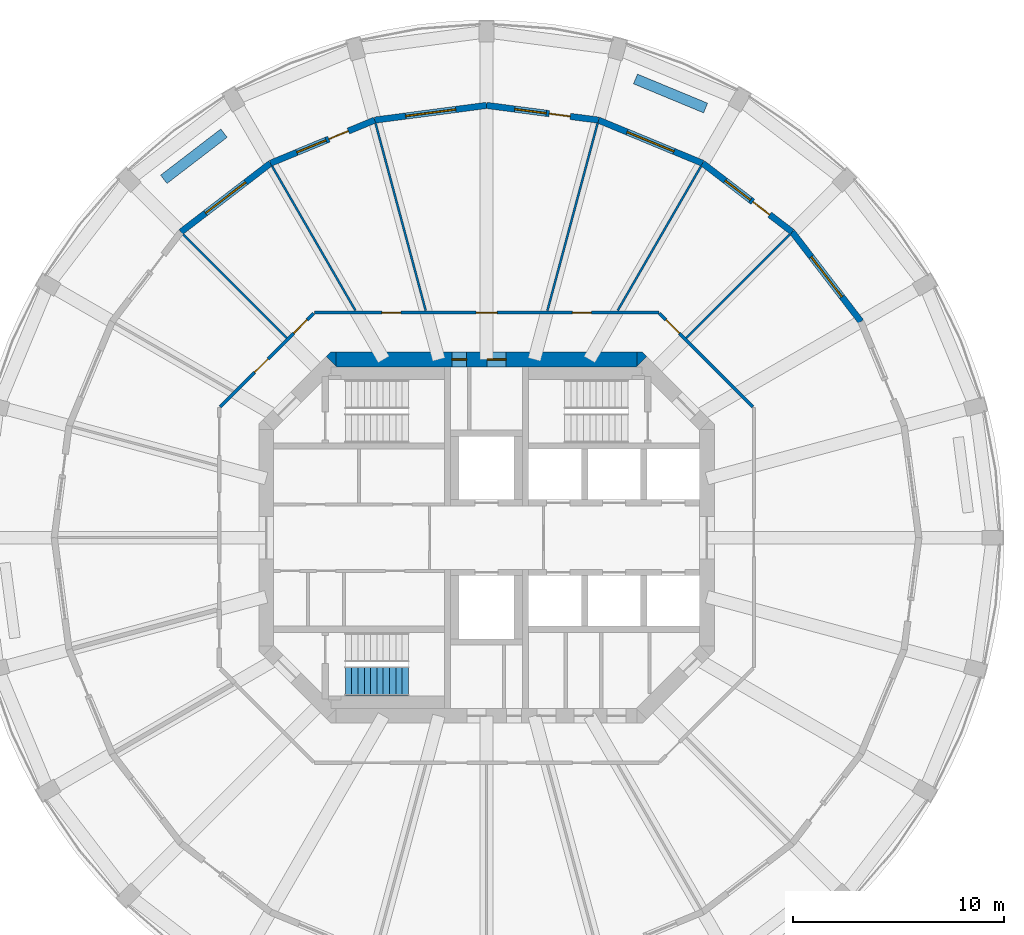
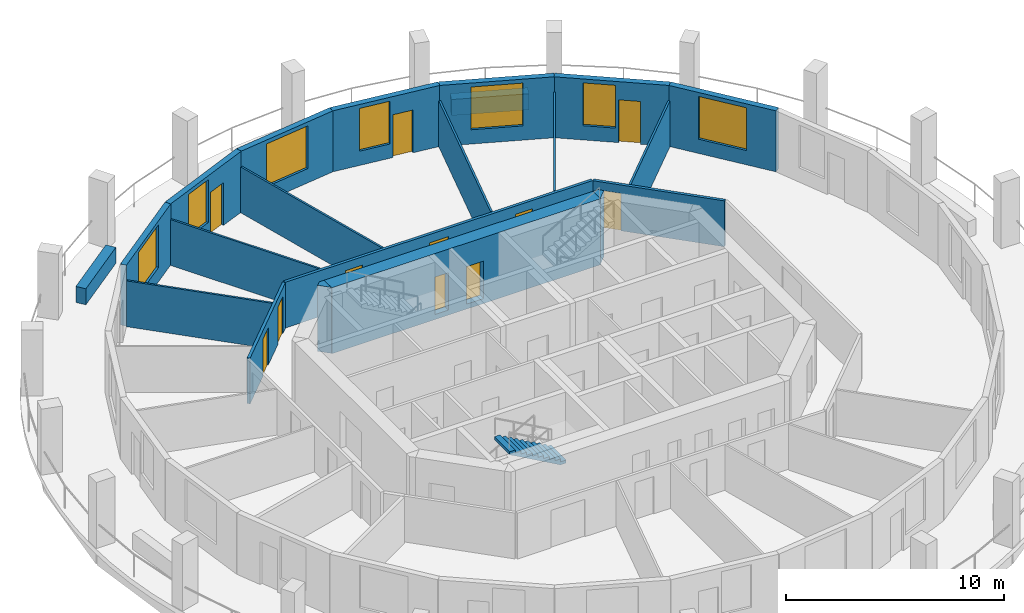
# One storey, part 6 of 9: 21 walls, 11 doors, 7 windows, 1 stair flight, 18 openings, 1 element without a shape of its own.
"""IFC4 building model written with IfcOpenShell, lengths in metres."""

import ifcopenshell
import ifcopenshell.guid

model = None  # the IFC model being written
_history = None  # IfcOwnerHistory: only IFC2X3 demands one
_inside = {}  # id of a spatial element -> (the spatial element, [elements in it])
_under = {}  # id of a project, library or spatial element -> (it, [spatial elements below it])
_declared = {}  # id of a project -> (the project, [libraries it declares])
_typed = {}  # id of a type object -> (the type object, [elements of that type])
_made_of = {}  # id of a material, layer set ... -> (it, [elements and type objects made of it])


def new_model(schema):
    """Start an empty IFC model of exactly this schema.

    Asked for "IFC4X3", IfcOpenShell would pick the latest addendum, in which some entities
    have other attributes; the version numbers below select the first issue.
    IFC2X3 requires an IfcOwnerHistory on every rooted entity: one is made here for all.
    """
    global model, _history
    if schema == "IFC4X3":
        model = ifcopenshell.file(schema_version=(4, 3, 0, 0))
    else:
        model = ifcopenshell.file(schema=schema)
    _inside.clear()
    _under.clear()
    _declared.clear()
    _typed.clear()
    _made_of.clear()
    _history = None
    if model.schema == "IFC2X3":
        org = make("IfcOrganization", Name="unknown")
        user = make(
            "IfcPersonAndOrganization",
            ThePerson=make("IfcPerson", FamilyName="unknown"),
            TheOrganization=org,
        )
        app = make(
            "IfcApplication",
            ApplicationDeveloper=org,
            Version="unknown",
            ApplicationFullName="unknown",
            ApplicationIdentifier="unknown",
        )
        _history = make(
            "IfcOwnerHistory",
            OwningUser=user,
            OwningApplication=app,
            ChangeAction="ADDED",
            CreationDate=0,
        )
    return model


def make(cls, **values):
    """One entity of the class cls with the attributes given. An attribute that is None is left unset."""
    return model.create_entity(
        cls, **{name: value for name, value in values.items() if value is not None}
    )


def rooted(cls, **values):
    """An entity with a GlobalId (a new one), such as an element, a storey or a relation."""
    return make(cls, GlobalId=ifcopenshell.guid.new(), OwnerHistory=_history, **values)


def si_unit(unit_type, name, prefix=None):
    """IfcSIUnit, for example si_unit("LENGTHUNIT", "METRE", prefix="MILLI")."""
    return make("IfcSIUnit", UnitType=unit_type, Prefix=prefix, Name=name)


def assignment(units):
    """IfcUnitAssignment: the units of a project."""
    return None if units is None else make("IfcUnitAssignment", Units=units)


def point(xyz):
    """IfcCartesianPoint."""
    return None if xyz is None else make("IfcCartesianPoint", Coordinates=xyz)


def direction(xyz):
    """IfcDirection."""
    return None if xyz is None else make("IfcDirection", DirectionRatios=xyz)


def frame(location, z_axis=None, x_axis=None):
    """IfcAxis2Placement3D, a coordinate frame: its origin and axes. An axis left out is left unset."""
    return make(
        "IfcAxis2Placement3D",
        Location=point(location),
        Axis=direction(z_axis),
        RefDirection=direction(x_axis),
    )


def frame_2d(location, x_axis=None):
    """IfcAxis2Placement2D, a coordinate frame in the plane: its origin and x axis."""
    return make(
        "IfcAxis2Placement2D", Location=point(location), RefDirection=direction(x_axis)
    )


def origin():
    """The frame at (0, 0, 0) with its axes left unset."""
    return frame((0.0, 0.0, 0.0))


def place(relative_to, where):
    """IfcLocalPlacement: puts the frame where relative to a parent placement (None: the world)."""
    return make(
        "IfcLocalPlacement", PlacementRelTo=relative_to, RelativePlacement=where
    )


def context(
    kind, dimensions, precision=None, world=None, true_north=None, identifier=None
):
    """IfcGeometricRepresentationContext, for example the 3D "Model" context."""
    return make(
        "IfcGeometricRepresentationContext",
        ContextIdentifier=identifier,
        ContextType=kind,
        CoordinateSpaceDimension=dimensions,
        Precision=precision,
        WorldCoordinateSystem=world,
        TrueNorth=true_north,
    )


def subcontext(parent, identifier, kind, view, scale=None):
    """IfcGeometricRepresentationSubContext, for example "Body" below "Model"."""
    return make(
        "IfcGeometricRepresentationSubContext",
        ContextIdentifier=identifier,
        ContextType=kind,
        ParentContext=parent,
        TargetScale=scale,
        TargetView=view,
    )


def project(units=None, contexts=None):
    """IfcProject with its units and contexts."""
    return rooted(
        "IfcProject",
        Name="project",
        RepresentationContexts=contexts,
        UnitsInContext=assignment(units),
    )


def spatial(cls, under=None, at=None, **own):
    """A site, building, storey or space (cls), placed at a placement, below another one or the project."""
    s = rooted(cls, ObjectPlacement=at, **own)
    if under is not None:
        _under.setdefault(under.id(), (under, []))[1].append(s)
    return s


def polyline(points):
    """IfcPolyline through the points."""
    return make("IfcPolyline", Points=[point(p) for p in points])


def profile(cls, at=None, kind="AREA", **sizes):
    """A parametric profile (cls). Its sizes go by their IFC names, for example OverallWidth=200.0."""
    return make(cls, ProfileType=kind, Position=at, **sizes)


def rectangle(**sizes):
    """IfcRectangleProfileDef."""
    return profile("IfcRectangleProfileDef", **sizes)


def outline(outer, holes=None, kind="AREA"):
    """IfcArbitraryClosedProfileDef: a profile drawn as a closed curve; with holes, ...WithVoids."""
    if holes is None:
        return make("IfcArbitraryClosedProfileDef", ProfileType=kind, OuterCurve=outer)
    return make(
        "IfcArbitraryProfileDefWithVoids",
        ProfileType=kind,
        OuterCurve=outer,
        InnerCurves=holes,
    )


def extrude(swept, where, along, depth):
    """IfcExtrudedAreaSolid: the profile swept, set in the frame where, extruded along a direction by depth."""
    return make(
        "IfcExtrudedAreaSolid",
        SweptArea=swept,
        Position=where,
        ExtrudedDirection=direction(along),
        Depth=depth,
    )


def shape(context_of_items, identifier, shape_type, items):
    """IfcShapeRepresentation: the items that make up one representation, for example the "Body"."""
    return make(
        "IfcShapeRepresentation",
        ContextOfItems=context_of_items,
        RepresentationIdentifier=identifier,
        RepresentationType=shape_type,
        Items=items,
    )


def material(Name=None, Category=None):
    """IfcMaterial."""
    return make("IfcMaterial", Name=Name, Category=Category)


def layer(
    of_material, thickness, ventilated=None, Name=None, Category=None, Priority=None
):
    """IfcMaterialLayer: one layer of a wall or slab, of a material (None: an air gap)."""
    return make(
        "IfcMaterialLayer",
        Material=of_material,
        LayerThickness=thickness,
        IsVentilated=ventilated,
        Name=Name,
        Category=Category,
        Priority=Priority,
    )


def layer_set(layers, Name=None):
    """IfcMaterialLayerSet."""
    return make("IfcMaterialLayerSet", MaterialLayers=layers, LayerSetName=Name)


def made_of(thing, what):
    """Note that an element or type object is made of a material, layer set ...; save() writes the relation."""
    if what is not None:
        _made_of.setdefault(what.id(), (what, []))[1].append(thing)
    return thing


def type_object(cls, material=None, **own):
    """A type object (cls), such as IfcWallType, which elements share."""
    return made_of(rooted(cls, **own), material)


def element(
    cls,
    number,
    at=None,
    inside=None,
    cuts=None,
    type_object=None,
    material=None,
    context=None,
    identifier="Body",
    shape_type=None,
    held_by="IfcProductDefinitionShape",
    body=None,
    shapes=None,
    **own,
):
    """One element of the class cls, such as IfcWall. Its Tag is "e" and its number.

    at: its placement. inside: the storey or other place that contains it. cuts: it is an
    opening in that element (IfcRelVoidsElement). A single representation is given by context,
    identifier, shape_type and body (its items); several are given by shapes. held_by: the class
    of the entity that holds the representations. save() writes the other relations.
    """
    e = rooted(cls, Tag="e%d" % number, ObjectPlacement=at, **own)
    if body is not None:
        shapes = [shape(context, identifier, shape_type, body)]
    if shapes is not None:
        e.Representation = make(held_by, Representations=shapes)
    if inside is not None:
        _inside.setdefault(inside.id(), (inside, []))[1].append(e)
    if cuts is not None:
        rooted(
            "IfcRelVoidsElement", RelatingBuildingElement=cuts, RelatedOpeningElement=e
        )
    if type_object is not None:
        _typed.setdefault(type_object.id(), (type_object, []))[1].append(e)
    return made_of(e, material)


def fill(opening, filler):
    """IfcRelFillsElement: the door or window that sits in an opening."""
    return rooted(
        "IfcRelFillsElement",
        RelatingOpeningElement=opening,
        RelatedBuildingElement=filler,
    )


def aggregate(whole, parts):
    """IfcRelAggregates: a whole, such as a stair, and the parts it consists of."""
    return rooted("IfcRelAggregates", RelatingObject=whole, RelatedObjects=parts)


def save(model, path):
    """Write the relations noted so far, then the file.

    IfcRelAggregates (storeys below a building ...), IfcRelContainedInSpatialStructure (elements
    in a storey), IfcRelDefinesByType, IfcRelAssociatesMaterial and IfcRelDeclares: one each for
    every whole, place, type object, material and project.
    """
    for whole, parts in _under.values():
        aggregate(whole, parts)
    for where, things in _inside.values():
        rooted(
            "IfcRelContainedInSpatialStructure",
            RelatedElements=things,
            RelatingStructure=where,
        )
    for kind, things in _typed.values():
        rooted("IfcRelDefinesByType", RelatedObjects=things, RelatingType=kind)
    for what, things in _made_of.values():
        rooted("IfcRelAssociatesMaterial", RelatedObjects=things, RelatingMaterial=what)
    for by, libraries in _declared.values():
        rooted("IfcRelDeclares", RelatingContext=by, RelatedDefinitions=libraries)
    model.write(path)


model = new_model("IFC4")

# Units and contexts
model_context = context("Model", 3, precision=1e-05, world=origin(), true_north=direction((0.0, 1.0)))
body_context = subcontext(model_context, "Body", "Model", "MODEL_VIEW")
ifc_project = project(units=[si_unit("LENGTHUNIT", "METRE"), si_unit("AREAUNIT", "SQUARE_METRE"), si_unit("VOLUMEUNIT", "CUBIC_METRE"), si_unit("PLANEANGLEUNIT", "RADIAN"), si_unit("MASSUNIT", "GRAM", prefix="KILO")], contexts=[model_context])

# Site, building, storey
site_placement = place(None, origin())
site = spatial("IfcSite", under=ifc_project, at=site_placement, CompositionType="ELEMENT")
building_placement = place(site_placement, origin())
building = spatial("IfcBuilding", under=site, at=building_placement, Name="Torre Triforio", CompositionType="ELEMENT")
storey_placement = place(building_placement, frame((0.0, 0.0, 237.199951171875)))
storey = spatial("IfcBuildingStorey", under=building, at=storey_placement, Name="L54", CompositionType="ELEMENT", Elevation=237.199951171875)

# Wall, openings, doors
ifc_material_1 = material(Name="Concrete C50", Category="concrete")
ifc_layer_1 = layer(ifc_material_1, 0.699951171875)
ifc_layer_set_1 = layer_set([ifc_layer_1], Name="Concrete C50")
wall_type_1 = type_object("IfcWallType", Name="Core wall 700 mm C50 EI 120", PredefinedType="SHEAR", material=ifc_layer_set_1)
wall_1_placement = place(storey_placement, frame((-7.1298828125, 8.449951171875, -0.280029296875), z_axis=(0.0, 0.0, 1.0), x_axis=(1.0, 0.0, 0.0)))
wall_1 = element("IfcWall", 1, at=wall_1_placement, inside=storey, type_object=wall_type_1, Name="Core wall", PredefinedType="SHEAR", context=body_context, shape_type="SweptSolid", body=[
    extrude(rectangle(XDim=14.259765625, YDim=0.699951171875, at=frame_2d((7.1298828125, 0.0))), origin(), (0.0, 0.0, 1.0), 3.7001953125),
])
opening_1_placement = place(wall_1_placement, frame((5.47998046875, 0.0, 0.280029296875)))
opening_1 = element("IfcOpeningElement", 2, at=opening_1_placement, cuts=wall_1, Name="Opening RISER-N", PredefinedType="OPENING", context=body_context, shape_type="SweptSolid", body=[
    extrude(rectangle(XDim=0.699951171875, YDim=2.10009765625, at=frame_2d((0.35009765625, 1.050048828125))), frame((0.0, 0.35986328125, 0.0), z_axis=(0.0, -1.0, 0.0), x_axis=(1.0, 0.0, 0.0)), (0.0, 0.0, 1.0), 0.719970703125),
])
opening_2_placement = place(wall_1_placement, frame((7.155029296875, 0.0, 0.280029296875)))
opening_2 = element("IfcOpeningElement", 3, at=opening_2_placement, cuts=wall_1, Name="Opening NE-01", PredefinedType="OPENING", context=body_context, shape_type="SweptSolid", body=[
    extrude(rectangle(XDim=0.89990234375, YDim=2.10009765625, at=frame_2d((0.449951171875, 1.050048828125))), frame((0.0, 0.35986328125, 0.0), z_axis=(0.0, -1.0, 0.0), x_axis=(1.0, 0.0, 0.0)), (0.0, 0.0, 1.0), 0.719970703125),
])
ifc_material_2 = material(Name="Hollow metal fire door leaf")
door_type_1 = type_object("IfcDoorType", Name="Riser door 700 x 2100 EI 60", OperationType="NOTDEFINED", PredefinedType="DOOR", material=ifc_material_2)
door_1_placement = place(opening_1_placement, origin())
door_1 = element("IfcDoor", 4, at=door_1_placement, inside=storey, type_object=door_type_1, Name="Core door RISER-N", OperationType="SINGLE_SWING_LEFT", OverallHeight=2.10009765625, OverallWidth=0.699951171875, PredefinedType="DOOR", context=body_context, shape_type="SweptSolid", body=[
    extrude(rectangle(XDim=0.699951171875, YDim=2.10009765625, at=frame_2d((0.35009765625, 1.050048828125))), frame((0.0, 0.02490234375, 0.0), z_axis=(0.0, -1.0, 0.0), x_axis=(1.0, 0.0, 0.0)), (0.0, 0.0, 1.0), 0.050048828125),
])
fill(opening_1, door_1)
door_type_2 = type_object("IfcDoorType", Name="Room door 900 x 2100 EI 60", OperationType="NOTDEFINED", PredefinedType="DOOR", material=ifc_material_2)
door_2_placement = place(opening_2_placement, origin())
door_2 = element("IfcDoor", 5, at=door_2_placement, inside=storey, type_object=door_type_2, Name="Core door NE-01", OperationType="SINGLE_SWING_RIGHT", OverallHeight=2.10009765625, OverallWidth=0.89990234375, PredefinedType="DOOR", context=body_context, shape_type="SweptSolid", body=[
    extrude(rectangle(XDim=0.89990234375, YDim=2.10009765625, at=frame_2d((0.449951171875, 1.050048828125))), frame((0.0, 0.02490234375, 0.0), z_axis=(0.0, -1.0, 0.0), x_axis=(1.0, 0.0, 0.0)), (0.0, 0.0, 1.0), 0.050048828125),
])
fill(opening_2, door_2)

# Walls
wall_2_placement = place(storey_placement, frame((0.0, 0.0, -0.280029296875)))
element("IfcWall", 6, at=wall_2_placement, inside=storey, type_object=wall_type_1, Name="Core wall", PredefinedType="SHEAR", context=body_context, shape_type="SweptSolid", body=[
    extrude(outline(polyline([(-7.389892578125, 8.800048828125), (-7.1298828125, 8.800048828125), (-7.1298828125, 8.800048828125), (-7.1298828125, 8.1298828125), (-7.594970703125, 8.594970703125), (-7.594970703125, 8.594970703125), (-7.594970703125, 8.594970703125), (-7.389892578125, 8.800048828125)])), origin(), (0.0, 0.0, 1.0), 3.7001953125),
])
wall_3_placement = place(storey_placement, frame((0.0, 0.0, -0.280029296875)))
element("IfcWall", 7, at=wall_3_placement, inside=storey, type_object=wall_type_1, Name="Core wall", PredefinedType="SHEAR", context=body_context, shape_type="SweptSolid", body=[
    extrude(outline(polyline([(7.389892578125, 8.800048828125), (7.594970703125, 8.594970703125), (7.594970703125, 8.594970703125), (7.594970703125, 8.594970703125), (7.1298828125, 8.1298828125), (7.1298828125, 8.800048828125), (7.1298828125, 8.800048828125), (7.389892578125, 8.800048828125)])), origin(), (0.0, 0.0, 1.0), 3.7001953125),
])

# Wall, openings, doors
ifc_material_3 = material(Name="Plasterboard on metal studs")
ifc_layer_2 = layer(ifc_material_3, 0.14990234375)
ifc_layer_set_2 = layer_set([ifc_layer_2], Name="Plasterboard on metal studs")
wall_type_2 = type_object("IfcWallType", Name="Corridor and tenancy wall 150 mm EI 60", PredefinedType="PARTITIONING", material=ifc_layer_set_2)
wall_4_placement = place(storey_placement, frame((-12.637939453125, 6.20361328125, 0.0), z_axis=(0.0, 0.0, 1.0), x_axis=(0.707106781187, 0.707106781187, 0.0)))
wall_4 = element("IfcWall", 8, at=wall_4_placement, inside=storey, type_object=wall_type_2, Name="Partition 7", PredefinedType="PARTITIONING", context=body_context, shape_type="SweptSolid", body=[
    extrude(rectangle(XDim=6.27099609375, YDim=0.14990234375, at=frame_2d((3.135498046875, 0.0))), origin(), (0.0, 0.0, 1.0), 2.570068359375),
])
opening_3_placement = place(wall_4_placement, frame((4.935302734375, 0.0, 0.0)))
opening_3 = element("IfcOpeningElement", 9, at=opening_3_placement, cuts=wall_4, Name="Opening O8-11", PredefinedType="OPENING", context=body_context, shape_type="SweptSolid", body=[
    extrude(rectangle(XDim=0.89990234375, YDim=2.10009765625, at=frame_2d((0.449951171875, 1.050048828125))), frame((0.0, 0.0849609375, 0.0), z_axis=(0.0, -1.0, 0.0), x_axis=(1.0, 0.0, 0.0)), (0.0, 0.0, 1.0), 0.169921875),
])
opening_4_placement = place(wall_4_placement, frame((2.313720703125, 0.0, 0.0)))
opening_4 = element("IfcOpeningElement", 10, at=opening_4_placement, cuts=wall_4, Name="Opening O8-12", PredefinedType="OPENING", context=body_context, shape_type="SweptSolid", body=[
    extrude(rectangle(XDim=0.89990234375, YDim=2.10009765625, at=frame_2d((0.449951171875, 1.050048828125))), frame((0.0, 0.0849609375, 0.0), z_axis=(0.0, -1.0, 0.0), x_axis=(1.0, 0.0, 0.0)), (0.0, 0.0, 1.0), 0.169921875),
])
ifc_material_4 = material(Name="Timber", Category="wood")
door_type_3 = type_object("IfcDoorType", Name="Door 900 x 2100 single leaf EI 30", OperationType="NOTDEFINED", PredefinedType="DOOR", material=ifc_material_4)
door_3_placement = place(opening_3_placement, origin())
door_3 = element("IfcDoor", 11, at=door_3_placement, inside=storey, type_object=door_type_3, Name="Door O8-11", OperationType="SINGLE_SWING_LEFT", OverallHeight=2.10009765625, OverallWidth=0.89990234375, PredefinedType="DOOR", context=body_context, shape_type="SweptSolid", body=[
    extrude(rectangle(XDim=0.89990234375, YDim=2.10009765625, at=frame_2d((0.449951171875, 1.050048828125))), frame((0.0, 0.02490234375, 0.0), z_axis=(0.0, -1.0, 0.0), x_axis=(1.0, 0.0, 0.0)), (0.0, 0.0, 1.0), 0.050048828125),
])
fill(opening_3, door_3)
door_4_placement = place(opening_4_placement, origin())
door_4 = element("IfcDoor", 12, at=door_4_placement, inside=storey, type_object=door_type_3, Name="Door O8-12", OperationType="SINGLE_SWING_LEFT", OverallHeight=2.10009765625, OverallWidth=0.89990234375, PredefinedType="DOOR", context=body_context, shape_type="SweptSolid", body=[
    extrude(rectangle(XDim=0.89990234375, YDim=2.10009765625, at=frame_2d((0.449951171875, 1.050048828125))), frame((0.0, 0.02490234375, 0.0), z_axis=(0.0, -1.0, 0.0), x_axis=(1.0, 0.0, 0.0)), (0.0, 0.0, 1.0), 0.050048828125),
])
fill(opening_4, door_4)

wall_5_placement = place(storey_placement, frame((-8.16650390625, 10.675048828125, 0.0), z_axis=(0.0, 0.0, 1.0), x_axis=(1.0, 0.0, 0.0)))
wall_5 = element("IfcWall", 13, at=wall_5_placement, inside=storey, type_object=wall_type_2, Name="Partition 8", PredefinedType="PARTITIONING", context=body_context, shape_type="SweptSolid", body=[
    extrude(rectangle(XDim=16.3330078125, YDim=0.14990234375, at=frame_2d((8.16650390625, 0.0))), origin(), (0.0, 0.0, 1.0), 2.570068359375),
])
opening_5_placement = place(wall_5_placement, frame((12.232421875, 0.0, 0.0)))
opening_5 = element("IfcOpeningElement", 14, at=opening_5_placement, cuts=wall_5, Name="Opening O8-08", PredefinedType="OPENING", context=body_context, shape_type="SweptSolid", body=[
    extrude(rectangle(XDim=0.89990234375, YDim=2.10009765625, at=frame_2d((0.449951171875, 1.050048828125))), frame((0.0, 0.0849609375, 0.0), z_axis=(0.0, -1.0, 0.0), x_axis=(1.0, 0.0, 0.0)), (0.0, 0.0, 1.0), 0.169921875),
])
opening_6_placement = place(wall_5_placement, frame((7.66650390625, 0.0, 0.0)))
opening_6 = element("IfcOpeningElement", 15, at=opening_6_placement, cuts=wall_5, Name="Opening O8-09", PredefinedType="OPENING", context=body_context, shape_type="SweptSolid", body=[
    extrude(rectangle(XDim=1.0, YDim=2.10009765625, at=frame_2d((0.5, 1.050048828125))), frame((0.0, 0.0849609375, 0.0), z_axis=(0.0, -1.0, 0.0), x_axis=(1.0, 0.0, 0.0)), (0.0, 0.0, 1.0), 0.169921875),
])
opening_7_placement = place(wall_5_placement, frame((3.200927734375, 0.0, 0.0)))
opening_7 = element("IfcOpeningElement", 16, at=opening_7_placement, cuts=wall_5, Name="Opening O8-10", PredefinedType="OPENING", context=body_context, shape_type="SweptSolid", body=[
    extrude(rectangle(XDim=0.89990234375, YDim=2.10009765625, at=frame_2d((0.449951171875, 1.050048828125))), frame((0.0, 0.0849609375, 0.0), z_axis=(0.0, -1.0, 0.0), x_axis=(1.0, 0.0, 0.0)), (0.0, 0.0, 1.0), 0.169921875),
])
door_type_4 = type_object("IfcDoorType", Name="Door 1000 x 2100 single leaf EI 30", OperationType="NOTDEFINED", PredefinedType="DOOR", material=ifc_material_4)
door_5_placement = place(opening_6_placement, origin())
door_5 = element("IfcDoor", 17, at=door_5_placement, inside=storey, type_object=door_type_4, Name="Door O8-09", OperationType="SINGLE_SWING_RIGHT", OverallHeight=2.10009765625, OverallWidth=1.0, PredefinedType="DOOR", context=body_context, shape_type="SweptSolid", body=[
    extrude(rectangle(XDim=1.0, YDim=2.10009765625, at=frame_2d((0.5, 1.050048828125))), frame((0.0, 0.02490234375, 0.0), z_axis=(0.0, -1.0, 0.0), x_axis=(1.0, 0.0, 0.0)), (0.0, 0.0, 1.0), 0.050048828125),
])
fill(opening_6, door_5)
door_6_placement = place(opening_5_placement, origin())
door_6 = element("IfcDoor", 18, at=door_6_placement, inside=storey, type_object=door_type_3, Name="Door O8-08", OperationType="SINGLE_SWING_RIGHT", OverallHeight=2.10009765625, OverallWidth=0.89990234375, PredefinedType="DOOR", context=body_context, shape_type="SweptSolid", body=[
    extrude(rectangle(XDim=0.89990234375, YDim=2.10009765625, at=frame_2d((0.449951171875, 1.050048828125))), frame((0.0, 0.02490234375, 0.0), z_axis=(0.0, -1.0, 0.0), x_axis=(1.0, 0.0, 0.0)), (0.0, 0.0, 1.0), 0.050048828125),
])
fill(opening_5, door_6)
door_7_placement = place(opening_7_placement, origin())
door_7 = element("IfcDoor", 19, at=door_7_placement, inside=storey, type_object=door_type_3, Name="Door O8-10", OperationType="SINGLE_SWING_LEFT", OverallHeight=2.10009765625, OverallWidth=0.89990234375, PredefinedType="DOOR", context=body_context, shape_type="SweptSolid", body=[
    extrude(rectangle(XDim=0.89990234375, YDim=2.10009765625, at=frame_2d((0.449951171875, 1.050048828125))), frame((0.0, 0.02490234375, 0.0), z_axis=(0.0, -1.0, 0.0), x_axis=(1.0, 0.0, 0.0)), (0.0, 0.0, 1.0), 0.050048828125),
])
fill(opening_7, door_7)

# Wall, opening, door
wall_6_placement = place(storey_placement, frame((8.20361328125, 10.637939453125, 0.0), z_axis=(0.0, 0.0, 1.0), x_axis=(0.707106781187, -0.707106781187, 0.0)))
wall_6 = element("IfcWall", 20, at=wall_6_placement, inside=storey, type_object=wall_type_2, Name="Partition 9", PredefinedType="PARTITIONING", context=body_context, shape_type="SweptSolid", body=[
    extrude(rectangle(XDim=6.27099609375, YDim=0.14990234375, at=frame_2d((3.135498046875, 0.0))), origin(), (0.0, 0.0, 1.0), 2.570068359375),
])
opening_8_placement = place(wall_6_placement, frame((0.435546875, 0.0, 0.0)))
opening_8 = element("IfcOpeningElement", 21, at=opening_8_placement, cuts=wall_6, Name="Opening O8-07", PredefinedType="OPENING", context=body_context, shape_type="SweptSolid", body=[
    extrude(rectangle(XDim=0.89990234375, YDim=2.10009765625, at=frame_2d((0.449951171875, 1.050048828125))), frame((0.0, 0.0849609375, 0.0), z_axis=(0.0, -1.0, 0.0), x_axis=(1.0, 0.0, 0.0)), (0.0, 0.0, 1.0), 0.169921875),
])
door_8_placement = place(opening_8_placement, origin())
door_8 = element("IfcDoor", 22, at=door_8_placement, inside=storey, type_object=door_type_3, Name="Door O8-07", OperationType="SINGLE_SWING_LEFT", OverallHeight=2.10009765625, OverallWidth=0.89990234375, PredefinedType="DOOR", context=body_context, shape_type="SweptSolid", body=[
    extrude(rectangle(XDim=0.89990234375, YDim=2.10009765625, at=frame_2d((0.449951171875, 1.050048828125))), frame((0.0, 0.02490234375, 0.0), z_axis=(0.0, -1.0, 0.0), x_axis=(1.0, 0.0, 0.0)), (0.0, 0.0, 1.0), 0.050048828125),
])
fill(opening_8, door_8)

# Walls
ifc_layer_3 = layer(ifc_material_3, 0.10009765625)
ifc_layer_set_3 = layer_set([ifc_layer_3], Name="Plasterboard on metal studs")
wall_type_3 = type_object("IfcWallType", Name="Partition 100 mm board on metal studs", PredefinedType="PARTITIONING", material=ifc_layer_set_3)
wall_7_placement = place(storey_placement, frame((9.473876953125, 9.473876953125, 0.0), z_axis=(0.0, 0.0, 1.0), x_axis=(0.707106781187, 0.707106781187, 0.0)))
element("IfcWall", 23, at=wall_7_placement, inside=storey, type_object=wall_type_3, Name="Partition 11", PredefinedType="PARTITIONING", context=body_context, shape_type="SweptSolid", body=[
    extrude(rectangle(XDim=6.9384765625, YDim=0.10009765625, at=frame_2d((3.46923828125, 0.0))), origin(), (0.0, 0.0, 1.0), 2.570068359375),
])
wall_8_placement = place(storey_placement, frame((6.220703125, 10.774658203125, 0.0), z_axis=(0.0, 0.0, 1.0), x_axis=(0.500016891966, 0.866015650984, 0.0)))
element("IfcWall", 24, at=wall_8_placement, inside=storey, type_object=wall_type_3, Name="Partition 12", PredefinedType="PARTITIONING", context=body_context, shape_type="SweptSolid", body=[
    extrude(rectangle(XDim=7.895263671875, YDim=0.10009765625, at=frame_2d((3.94775390625, 0.0))), origin(), (0.0, 0.0, 1.0), 2.570068359375),
])
for number, where, z_axis, x_axis, name in (
    (25, (2.88427734375, 10.764404296875, 0.0), (0.0, 0.0, 1.0), (0.258811310764, 0.965927898666, 0.0), "Partition 13"),
    (26, (-2.88427734375, 10.764404296875, 0.0), (0.0, 0.0, 1.0), (-0.258811310764, 0.965927898666, 0.0), "Partition 14"),
):
    element("IfcWall", number, at=place(storey_placement, frame(where, z_axis=z_axis, x_axis=x_axis)), inside=storey, type_object=wall_type_3, Name=name, PredefinedType="PARTITIONING", context=body_context, shape_type="SweptSolid", body=[
        extrude(rectangle(XDim=9.192626953125, YDim=0.10009765625, at=frame_2d((4.59619140625, 0.0))), origin(), (0.0, 0.0, 1.0), 2.570068359375),
    ])
wall_9_placement = place(storey_placement, frame((-6.220703125, 10.774658203125, 0.0), z_axis=(0.0, 0.0, 1.0), x_axis=(-0.500016891966, 0.866015650984, 0.0)))
element("IfcWall", 27, at=wall_9_placement, inside=storey, type_object=wall_type_3, Name="Partition 15", PredefinedType="PARTITIONING", context=body_context, shape_type="SweptSolid", body=[
    extrude(rectangle(XDim=7.895263671875, YDim=0.10009765625, at=frame_2d((3.94775390625, 0.0))), origin(), (0.0, 0.0, 1.0), 2.570068359375),
])
wall_10_placement = place(storey_placement, frame((-9.473876953125, 9.473876953125, 0.0), z_axis=(0.0, 0.0, 1.0), x_axis=(-0.707106781187, 0.707106781187, 0.0)))
element("IfcWall", 28, at=wall_10_placement, inside=storey, type_object=wall_type_3, Name="Partition 16", PredefinedType="PARTITIONING", context=body_context, shape_type="SweptSolid", body=[
    extrude(rectangle(XDim=6.9384765625, YDim=0.10009765625, at=frame_2d((3.46923828125, 0.0))), origin(), (0.0, 0.0, 1.0), 2.570068359375),
])
ifc_material_5 = material(Name="Limestone cladding", Category="masonry")
ifc_layer_4 = layer(ifc_material_5, 0.10009765625)
ifc_material_6 = material(Name="Concrete C40", Category="concrete")
ifc_layer_5 = layer(ifc_material_6, 0.39990234375)
ifc_layer_set_4 = layer_set([ifc_layer_4, ifc_layer_5], Name="Limestone cladding / Concrete C40")
wall_type_4 = type_object("IfcWallType", Name="Planter wall 500", PredefinedType="PARAPET", material=ifc_layer_set_4)
for number, where, z_axis, x_axis, name in (
    (29, (10.38818359375, 20.37548828125, 0.0), (0.0, 0.0, 1.0), (-0.923851510231, 0.38275107713, 0.0), "Planter L54 bay 05"),
    (30, (-12.45166015625, 19.18408203125, 0.0), (0.0, 0.0, 1.0), (-0.793384730612, -0.608720518162, 0.0), "Planter L54 bay 09"),
):
    element("IfcWall", number, at=place(storey_placement, frame(where, z_axis=z_axis, x_axis=x_axis)), inside=storey, type_object=wall_type_4, Name=name, PredefinedType="PARAPET", context=body_context, shape_type="SweptSolid", body=[
        extrude(rectangle(XDim=3.60009765625, YDim=0.5, at=frame_2d((1.800048828125, 0.0))), origin(), (0.0, 0.0, 1.0), 0.900146484375),
    ])

# Wall, opening, window
ifc_layer_6 = layer(ifc_material_5, 0.10009765625)
ifc_layer_7 = layer(ifc_material_6, 0.199951171875)
ifc_layer_set_5 = layer_set([ifc_layer_6, ifc_layer_7], Name="Limestone cladding / Concrete C40")
wall_type_5 = type_object("IfcWallType", Name="Stone-faced composite wall 300", PredefinedType="STANDARD", material=ifc_layer_set_5)
wall_11_placement = place(storey_placement, frame((17.75341796875, 10.25, 0.0), z_axis=(0.0, 0.0, 1.0), x_axis=(-0.60876670321, 0.793349293227, 0.0)))
wall_11 = element("IfcWall", 31, at=wall_11_placement, inside=storey, type_object=wall_type_5, Name="External wall L54 bay 03", PredefinedType="STANDARD", context=body_context, shape_type="SweptSolid", body=[
    extrude(rectangle(XDim=5.3515625, YDim=0.300048828125, at=frame_2d((2.67578125, 0.0))), origin(), (0.0, 0.0, 1.0), 3.420166015625),
])
opening_9_placement = place(wall_11_placement, frame((1.475830078125, 0.0, 0.800048828125)))
opening_9 = element("IfcOpeningElement", 32, at=opening_9_placement, cuts=wall_11, Name="Opening O8-W03", PredefinedType="OPENING", context=body_context, shape_type="SweptSolid", body=[
    extrude(rectangle(XDim=2.39990234375, YDim=2.39990234375, at=frame_2d((1.199951171875, 1.199951171875))), frame((0.0, 0.159912109375, 0.0), z_axis=(0.0, -1.0, 0.0), x_axis=(1.0, 0.0, 0.0)), (0.0, 0.0, 1.0), 0.320068359375),
])
ifc_material_7 = material(Name="Aluminium frame with clear double glazing", Category="aluminium")
window_type_1 = type_object("IfcWindowType", Name="Punched window 2400 x 2400", PartitioningType="DOUBLE_PANEL_VERTICAL", PredefinedType="WINDOW", material=ifc_material_7)
window_1_placement = place(opening_9_placement, origin())
window_1 = element("IfcWindow", 33, at=window_1_placement, inside=storey, type_object=window_type_1, Name="Window EWN4 L54 bay 03", OverallHeight=2.39990234375, OverallWidth=2.39990234375, PartitioningType="SINGLE_PANEL", PredefinedType="WINDOW", context=body_context, shape_type="SweptSolid", body=[
    extrude(rectangle(XDim=2.39990234375, YDim=2.39990234375, at=frame_2d((1.199951171875, 1.199951171875))), frame((0.0, 0.030029296875, 0.0), z_axis=(0.0, -1.0, 0.0), x_axis=(1.0, 0.0, 0.0)), (0.0, 0.0, 1.0), 0.06005859375),
])
fill(opening_9, window_1)

# Wall, openings, door, window
wall_12_placement = place(storey_placement, frame((14.49560546875, 14.49560546875, 0.0), z_axis=(0.0, 0.0, 1.0), x_axis=(-0.793349293227, 0.60876670321, 0.0)))
wall_12 = element("IfcWall", 34, at=wall_12_placement, inside=storey, type_object=wall_type_5, Name="External wall L54 bay 04", PredefinedType="STANDARD", context=body_context, shape_type="SweptSolid", body=[
    extrude(rectangle(XDim=5.3515625, YDim=0.300048828125, at=frame_2d((2.67578125, 0.0))), origin(), (0.0, 0.0, 1.0), 3.420166015625),
])
opening_10_placement = place(wall_12_placement, frame((1.350830078125, 0.0, 0.0)))
opening_10 = element("IfcOpeningElement", 35, at=opening_10_placement, cuts=wall_12, Name="Opening O8-D04", PredefinedType="OPENING", context=body_context, shape_type="SweptSolid", body=[
    extrude(rectangle(XDim=1.0, YDim=2.39990234375, at=frame_2d((0.5, 1.199951171875))), frame((0.0, 0.159912109375, 0.0), z_axis=(0.0, -1.0, 0.0), x_axis=(1.0, 0.0, 0.0)), (0.0, 0.0, 1.0), 0.320068359375),
])
opening_11_placement = place(wall_12_placement, frame((2.500732421875, 0.0, 0.800048828125)))
opening_11 = element("IfcOpeningElement", 36, at=opening_11_placement, cuts=wall_12, Name="Opening O8-W04A", PredefinedType="OPENING", context=body_context, shape_type="SweptSolid", body=[
    extrude(rectangle(XDim=1.5, YDim=2.39990234375, at=frame_2d((0.75, 1.199951171875))), frame((0.0, 0.159912109375, 0.0), z_axis=(0.0, -1.0, 0.0), x_axis=(1.0, 0.0, 0.0)), (0.0, 0.0, 1.0), 0.320068359375),
])
door_type_5 = type_object("IfcDoorType", Name="Loggia door 1000 x 2400", OperationType="NOTDEFINED", PredefinedType="DOOR", material=ifc_material_7)
door_9_placement = place(opening_10_placement, origin())
door_9 = element("IfcDoor", 37, at=door_9_placement, inside=storey, type_object=door_type_5, Name="Loggia door L54 bay 04", OperationType="SINGLE_SWING_LEFT", OverallHeight=2.39990234375, OverallWidth=1.0, PredefinedType="DOOR", context=body_context, shape_type="SweptSolid", body=[
    extrude(rectangle(XDim=1.0, YDim=2.39990234375, at=frame_2d((0.5, 1.199951171875))), frame((0.0, 0.02490234375, 0.0), z_axis=(0.0, -1.0, 0.0), x_axis=(1.0, 0.0, 0.0)), (0.0, 0.0, 1.0), 0.050048828125),
])
fill(opening_10, door_9)
window_type_2 = type_object("IfcWindowType", Name="Side window 1500 x 2400", PartitioningType="SINGLE_PANEL", PredefinedType="WINDOW", material=ifc_material_7)
window_2_placement = place(opening_11_placement, origin())
window_2 = element("IfcWindow", 38, at=window_2_placement, inside=storey, type_object=window_type_2, Name="Side window EWN14 L54 bay 04", OverallHeight=2.39990234375, OverallWidth=1.5, PartitioningType="SINGLE_PANEL", PredefinedType="WINDOW", context=body_context, shape_type="SweptSolid", body=[
    extrude(rectangle(XDim=1.5, YDim=2.39990234375, at=frame_2d((0.75, 1.199951171875))), frame((0.0, 0.030029296875, 0.0), z_axis=(0.0, -1.0, 0.0), x_axis=(1.0, 0.0, 0.0)), (0.0, 0.0, 1.0), 0.06005859375),
])
fill(opening_11, window_2)

# Wall, opening, window
wall_13_placement = place(storey_placement, frame((10.25, 17.75341796875, 0.0), z_axis=(0.0, 0.0, 1.0), x_axis=(-0.923867255172, 0.382713071139, 0.0)))
wall_13 = element("IfcWall", 39, at=wall_13_placement, inside=storey, type_object=wall_type_5, Name="External wall L54 bay 05", PredefinedType="STANDARD", context=body_context, shape_type="SweptSolid", body=[
    extrude(rectangle(XDim=5.3515625, YDim=0.300048828125, at=frame_2d((2.67578125, 0.0))), origin(), (0.0, 0.0, 1.0), 3.420166015625),
])
opening_12_placement = place(wall_13_placement, frame((1.475830078125, 0.0, 0.800048828125)))
opening_12 = element("IfcOpeningElement", 40, at=opening_12_placement, cuts=wall_13, Name="Opening O8-W05", PredefinedType="OPENING", context=body_context, shape_type="SweptSolid", body=[
    extrude(rectangle(XDim=2.39990234375, YDim=2.39990234375, at=frame_2d((1.199951171875, 1.199951171875))), frame((0.0, 0.159912109375, 0.0), z_axis=(0.0, -1.0, 0.0), x_axis=(1.0, 0.0, 0.0)), (0.0, 0.0, 1.0), 0.320068359375),
])
window_3_placement = place(opening_12_placement, origin())
window_3 = element("IfcWindow", 41, at=window_3_placement, inside=storey, type_object=window_type_1, Name="Window EWN4 L54 bay 05", OverallHeight=2.39990234375, OverallWidth=2.39990234375, PartitioningType="SINGLE_PANEL", PredefinedType="WINDOW", context=body_context, shape_type="SweptSolid", body=[
    extrude(rectangle(XDim=2.39990234375, YDim=2.39990234375, at=frame_2d((1.199951171875, 1.199951171875))), frame((0.0, 0.030029296875, 0.0), z_axis=(0.0, -1.0, 0.0), x_axis=(1.0, 0.0, 0.0)), (0.0, 0.0, 1.0), 0.06005859375),
])
fill(opening_12, window_3)

# Wall, openings, door, window
wall_14_placement = place(storey_placement, frame((5.305908203125, 19.801513671875, 0.0), z_axis=(0.0, 0.0, 1.0), x_axis=(-0.991446064069, 0.130517056518, 0.0)))
wall_14 = element("IfcWall", 42, at=wall_14_placement, inside=storey, type_object=wall_type_5, Name="External wall L54 bay 06", PredefinedType="STANDARD", context=body_context, shape_type="SweptSolid", body=[
    extrude(rectangle(XDim=5.351806640625, YDim=0.300048828125, at=frame_2d((2.67578125, 0.0))), origin(), (0.0, 0.0, 1.0), 3.420166015625),
])
opening_13_placement = place(wall_14_placement, frame((1.350830078125, 0.0, 0.0)))
opening_13 = element("IfcOpeningElement", 43, at=opening_13_placement, cuts=wall_14, Name="Opening O8-D06", PredefinedType="OPENING", context=body_context, shape_type="SweptSolid", body=[
    extrude(rectangle(XDim=1.0, YDim=2.39990234375, at=frame_2d((0.5, 1.199951171875))), frame((0.0, 0.159912109375, 0.0), z_axis=(0.0, -1.0, 0.0), x_axis=(1.0, 0.0, 0.0)), (0.0, 0.0, 1.0), 0.320068359375),
])
opening_14_placement = place(wall_14_placement, frame((2.500732421875, 0.0, 0.800048828125)))
opening_14 = element("IfcOpeningElement", 44, at=opening_14_placement, cuts=wall_14, Name="Opening O8-W06A", PredefinedType="OPENING", context=body_context, shape_type="SweptSolid", body=[
    extrude(rectangle(XDim=1.5, YDim=2.39990234375, at=frame_2d((0.75, 1.199951171875))), frame((0.0, 0.159912109375, 0.0), z_axis=(0.0, -1.0, 0.0), x_axis=(1.0, 0.0, 0.0)), (0.0, 0.0, 1.0), 0.320068359375),
])
door_10_placement = place(opening_13_placement, origin())
door_10 = element("IfcDoor", 45, at=door_10_placement, inside=storey, type_object=door_type_5, Name="Loggia door L54 bay 06", OperationType="SINGLE_SWING_LEFT", OverallHeight=2.39990234375, OverallWidth=1.0, PredefinedType="DOOR", context=body_context, shape_type="SweptSolid", body=[
    extrude(rectangle(XDim=1.0, YDim=2.39990234375, at=frame_2d((0.5, 1.199951171875))), frame((0.0, 0.02490234375, 0.0), z_axis=(0.0, -1.0, 0.0), x_axis=(1.0, 0.0, 0.0)), (0.0, 0.0, 1.0), 0.050048828125),
])
fill(opening_13, door_10)
window_4_placement = place(opening_14_placement, origin())
window_4 = element("IfcWindow", 46, at=window_4_placement, inside=storey, type_object=window_type_2, Name="Side window EWN14 L54 bay 06", OverallHeight=2.39990234375, OverallWidth=1.5, PartitioningType="SINGLE_PANEL", PredefinedType="WINDOW", context=body_context, shape_type="SweptSolid", body=[
    extrude(rectangle(XDim=1.5, YDim=2.39990234375, at=frame_2d((0.75, 1.199951171875))), frame((0.0, 0.030029296875, 0.0), z_axis=(0.0, -1.0, 0.0), x_axis=(1.0, 0.0, 0.0)), (0.0, 0.0, 1.0), 0.06005859375),
])
fill(opening_14, window_4)

# Wall, opening, window
wall_15_placement = place(storey_placement, frame((0.0, 20.5, 0.0), z_axis=(0.0, 0.0, 1.0), x_axis=(-0.991446064069, -0.130517056518, 0.0)))
wall_15 = element("IfcWall", 47, at=wall_15_placement, inside=storey, type_object=wall_type_5, Name="External wall L54 bay 07", PredefinedType="STANDARD", context=body_context, shape_type="SweptSolid", body=[
    extrude(rectangle(XDim=5.351806640625, YDim=0.300048828125, at=frame_2d((2.67578125, 0.0))), origin(), (0.0, 0.0, 1.0), 3.420166015625),
])
opening_15_placement = place(wall_15_placement, frame((1.475830078125, 0.0, 0.800048828125)))
opening_15 = element("IfcOpeningElement", 48, at=opening_15_placement, cuts=wall_15, Name="Opening O8-W07", PredefinedType="OPENING", context=body_context, shape_type="SweptSolid", body=[
    extrude(rectangle(XDim=2.39990234375, YDim=2.39990234375, at=frame_2d((1.199951171875, 1.199951171875))), frame((0.0, 0.159912109375, 0.0), z_axis=(0.0, -1.0, 0.0), x_axis=(1.0, 0.0, 0.0)), (0.0, 0.0, 1.0), 0.320068359375),
])
window_5_placement = place(opening_15_placement, origin())
window_5 = element("IfcWindow", 49, at=window_5_placement, inside=storey, type_object=window_type_1, Name="Window EWN4 L54 bay 07", OverallHeight=2.39990234375, OverallWidth=2.39990234375, PartitioningType="SINGLE_PANEL", PredefinedType="WINDOW", context=body_context, shape_type="SweptSolid", body=[
    extrude(rectangle(XDim=2.39990234375, YDim=2.39990234375, at=frame_2d((1.199951171875, 1.199951171875))), frame((0.0, 0.030029296875, 0.0), z_axis=(0.0, -1.0, 0.0), x_axis=(1.0, 0.0, 0.0)), (0.0, 0.0, 1.0), 0.06005859375),
])
fill(opening_15, window_5)

# Wall, openings, door, window
wall_16_placement = place(storey_placement, frame((-5.305908203125, 19.801513671875, 0.0), z_axis=(0.0, 0.0, 1.0), x_axis=(-0.923867255172, -0.382713071139, 0.0)))
wall_16 = element("IfcWall", 50, at=wall_16_placement, inside=storey, type_object=wall_type_5, Name="External wall L54 bay 08", PredefinedType="STANDARD", context=body_context, shape_type="SweptSolid", body=[
    extrude(rectangle(XDim=5.3515625, YDim=0.300048828125, at=frame_2d((2.67578125, 0.0))), origin(), (0.0, 0.0, 1.0), 3.420166015625),
])
opening_16_placement = place(wall_16_placement, frame((1.350830078125, 0.0, 0.0)))
opening_16 = element("IfcOpeningElement", 51, at=opening_16_placement, cuts=wall_16, Name="Opening O8-D08", PredefinedType="OPENING", context=body_context, shape_type="SweptSolid", body=[
    extrude(rectangle(XDim=1.0, YDim=2.39990234375, at=frame_2d((0.5, 1.199951171875))), frame((0.0, 0.159912109375, 0.0), z_axis=(0.0, -1.0, 0.0), x_axis=(1.0, 0.0, 0.0)), (0.0, 0.0, 1.0), 0.320068359375),
])
opening_17_placement = place(wall_16_placement, frame((2.500732421875, 0.0, 0.800048828125)))
opening_17 = element("IfcOpeningElement", 52, at=opening_17_placement, cuts=wall_16, Name="Opening O8-W08A", PredefinedType="OPENING", context=body_context, shape_type="SweptSolid", body=[
    extrude(rectangle(XDim=1.5, YDim=2.39990234375, at=frame_2d((0.75, 1.199951171875))), frame((0.0, 0.159912109375, 0.0), z_axis=(0.0, -1.0, 0.0), x_axis=(1.0, 0.0, 0.0)), (0.0, 0.0, 1.0), 0.320068359375),
])
door_11_placement = place(opening_16_placement, origin())
door_11 = element("IfcDoor", 53, at=door_11_placement, inside=storey, type_object=door_type_5, Name="Loggia door L54 bay 08", OperationType="SINGLE_SWING_LEFT", OverallHeight=2.39990234375, OverallWidth=1.0, PredefinedType="DOOR", context=body_context, shape_type="SweptSolid", body=[
    extrude(rectangle(XDim=1.0, YDim=2.39990234375, at=frame_2d((0.5, 1.199951171875))), frame((0.0, 0.02490234375, 0.0), z_axis=(0.0, -1.0, 0.0), x_axis=(1.0, 0.0, 0.0)), (0.0, 0.0, 1.0), 0.050048828125),
])
fill(opening_16, door_11)
window_6_placement = place(opening_17_placement, origin())
window_6 = element("IfcWindow", 54, at=window_6_placement, inside=storey, type_object=window_type_2, Name="Side window EWN14 L54 bay 08", OverallHeight=2.39990234375, OverallWidth=1.5, PartitioningType="SINGLE_PANEL", PredefinedType="WINDOW", context=body_context, shape_type="SweptSolid", body=[
    extrude(rectangle(XDim=1.5, YDim=2.39990234375, at=frame_2d((0.75, 1.199951171875))), frame((0.0, 0.030029296875, 0.0), z_axis=(0.0, -1.0, 0.0), x_axis=(1.0, 0.0, 0.0)), (0.0, 0.0, 1.0), 0.06005859375),
])
fill(opening_17, window_6)

# Wall, opening, window
wall_17_placement = place(storey_placement, frame((-10.25, 17.75341796875, 0.0), z_axis=(0.0, 0.0, 1.0), x_axis=(-0.793349293227, -0.60876670321, 0.0)))
wall_17 = element("IfcWall", 55, at=wall_17_placement, inside=storey, type_object=wall_type_5, Name="External wall L54 bay 09", PredefinedType="STANDARD", context=body_context, shape_type="SweptSolid", body=[
    extrude(rectangle(XDim=5.3515625, YDim=0.300048828125, at=frame_2d((2.67578125, 0.0))), origin(), (0.0, 0.0, 1.0), 3.420166015625),
])
opening_18_placement = place(wall_17_placement, frame((1.475830078125, 0.0, 0.800048828125)))
opening_18 = element("IfcOpeningElement", 56, at=opening_18_placement, cuts=wall_17, Name="Opening O8-W09", PredefinedType="OPENING", context=body_context, shape_type="SweptSolid", body=[
    extrude(rectangle(XDim=2.39990234375, YDim=2.39990234375, at=frame_2d((1.199951171875, 1.199951171875))), frame((0.0, 0.159912109375, 0.0), z_axis=(0.0, -1.0, 0.0), x_axis=(1.0, 0.0, 0.0)), (0.0, 0.0, 1.0), 0.320068359375),
])
window_7_placement = place(opening_18_placement, origin())
window_7 = element("IfcWindow", 57, at=window_7_placement, inside=storey, type_object=window_type_1, Name="Window EWN4 L54 bay 09", OverallHeight=2.39990234375, OverallWidth=2.39990234375, PartitioningType="SINGLE_PANEL", PredefinedType="WINDOW", context=body_context, shape_type="SweptSolid", body=[
    extrude(rectangle(XDim=2.39990234375, YDim=2.39990234375, at=frame_2d((1.199951171875, 1.199951171875))), frame((0.0, 0.030029296875, 0.0), z_axis=(0.0, -1.0, 0.0), x_axis=(1.0, 0.0, 0.0)), (0.0, 0.0, 1.0), 0.06005859375),
])
fill(opening_18, window_7)

# Stair, stair flight
stair_type = type_object("IfcStairType", Name="STAIR HALF-TURN", PredefinedType="HALF_TURN_STAIR", material=ifc_material_6)
stair_placement = place(storey_placement, origin())
stair = element("IfcStair", 58, at=stair_placement, inside=storey, type_object=stair_type, Name="Exit stair 3", PredefinedType="HALF_TURN_STAIR")
stair_flight_type = type_object("IfcStairFlightType", Name="STAIR FLIGHT 1400", PredefinedType="STRAIGHT", material=ifc_material_6)
stair_flight_placement = place(storey_placement, frame((-3.699951171875, -6.800048828125, 1.85009765625), z_axis=(0.0, 0.0, 1.0), x_axis=(-1.0, 0.0, 0.0)))
stair_flight = element("IfcStairFlight", 59, at=stair_flight_placement, type_object=stair_flight_type, Name="ST3 flight 2", NumberOfRisers=11, NumberOfTreads=10, PredefinedType="STRAIGHT", RiserHeight=0.168181818, TreadLength=0.3, context=body_context, shape_type="SweptSolid", body=[
    extrude(outline(polyline([(0.0, 0.0), (0.0, 0.168212890625), (0.300048828125, 0.168212890625), (0.300048828125, 0.33642578125), (0.60009765625, 0.33642578125), (0.60009765625, 0.504638671875), (0.89990234375, 0.504638671875), (0.89990234375, 0.672607421875), (1.199951171875, 0.672607421875), (1.199951171875, 0.8408203125), (1.5, 0.8408203125), (1.5, 1.009033203125), (1.800048828125, 1.009033203125), (1.800048828125, 1.17724609375), (2.10009765625, 1.17724609375), (2.10009765625, 1.345458984375), (2.39990234375, 1.345458984375), (2.39990234375, 1.513671875), (2.699951171875, 1.513671875), (2.699951171875, 1.681884765625), (3.0, 1.681884765625), (3.0, 1.85009765625), (3.0, 1.510009765625), (0.306640625, 0.0), (0.0, 0.0)])), frame((0.0, 0.699951171875, 0.0), z_axis=(0.0, -1.0, 0.0), x_axis=(1.0, 0.0, 0.0)), (0.0, 0.0, 1.0), 1.39990234375),
])
aggregate(stair, [stair_flight])

save(model, "model.ifc")
